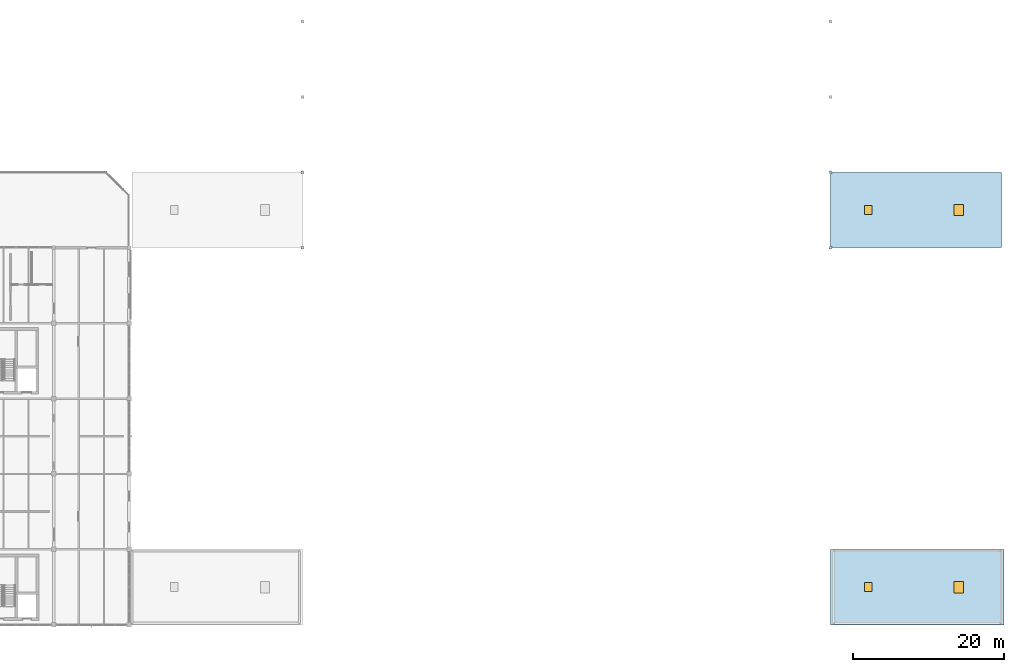
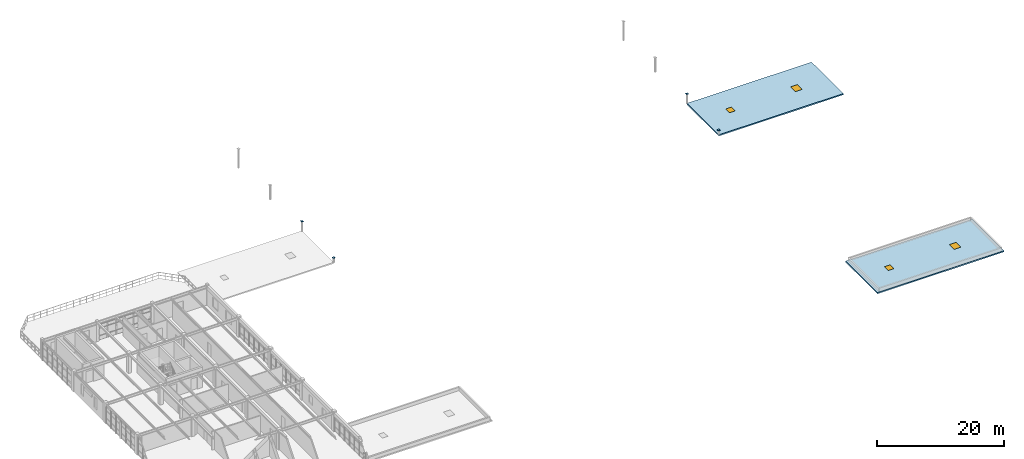
# One storey, part 17 of 23: 4 doors, 4 plates, 2 slabs, 4 openings.
"""IFC4 building model written with IfcOpenShell, lengths in metres."""

from ifc_helpers import new_model, si_unit, direction, frame, origin, origin_2d, place, context, subcontext, project, spatial, polyline, rectangle, outline, extrude, material, layer, layer_set, type_object, element, fill, save


model = new_model("IFC4")

# Units and contexts
model_context = context("Model", 3, precision=1e-05, world=origin(), true_north=direction((0.0, 1.0)))
body_context = subcontext(model_context, "Body", "Model", "MODEL_VIEW")
ifc_project = project(units=[si_unit("LENGTHUNIT", "METRE"), si_unit("AREAUNIT", "SQUARE_METRE"), si_unit("VOLUMEUNIT", "CUBIC_METRE"), si_unit("PLANEANGLEUNIT", "RADIAN"), si_unit("MASSUNIT", "GRAM", prefix="KILO"), si_unit("THERMODYNAMICTEMPERATUREUNIT", "KELVIN"), si_unit("POWERUNIT", "WATT")], contexts=[model_context])

# Site, building, storey
site_placement = place(None, origin())
site = spatial("IfcSite", under=ifc_project, at=site_placement, CompositionType="ELEMENT")
building_placement = place(site_placement, origin())
building = spatial("IfcBuilding", under=site, at=building_placement, Name="Korenveer Ferry Terminal", CompositionType="ELEMENT")
storey_placement = place(building_placement, frame((0.0, 0.0, 14.39990234375)))
storey = spatial("IfcBuildingStorey", under=building, at=storey_placement, Name="L03", CompositionType="ELEMENT", Elevation=14.39990234375)

# Plates
ifc_material_1 = material(Name="Steel S355", Category="steel")
ifc_layer_1 = layer(ifc_material_1, 0.0419921875)
ifc_layer_set_1 = layer_set([ifc_layer_1], Name="Steel S355")
plate_type = type_object("IfcPlateType", Name="STR-PLT-CAP42", PredefinedType="USERDEFINED", material=ifc_layer_set_1)
for number, where, z_axis, x_axis, name in (
    (1, (53.0, 70.0, 0.9384765625), (0.0, 0.0, 1.0), (1.0, 0.0, 0.0), "Hollow section end cap 207"),
    (2, (53.0, 80.0, 1.846435546875), (0.0, 0.0, 1.0), (1.0, 0.0, 0.0), "Hollow section end cap 208"),
    (3, (123.0, 70.0, 0.9384765625), (0.0, 0.0, 1.0), (1.0, 0.0, 0.0), "Hollow section end cap 236"),
    (4, (123.0, 80.0, 1.846435546875), (0.0, 0.0, 1.0), (1.0, 0.0, 0.0), "Hollow section end cap 237"),
):
    element("IfcPlate", number, at=place(storey_placement, frame(where, z_axis=z_axis, x_axis=x_axis)), inside=storey, type_object=plate_type, Name=name, ObjectType="END CAP PLATE", PredefinedType="USERDEFINED", context=body_context, shape_type="SweptSolid", body=[
        extrude(rectangle(XDim=0.385498046875, YDim=0.385498046875, at=origin_2d()), origin(), (0.0, 0.0, 1.0), 0.0419921875),
    ])

# Slab, openings, doors
ifc_material_2 = material(Name="Concrete C35/45", Category="concrete")
ifc_layer_2 = layer(ifc_material_2, 0.239990234375)
ifc_layer_set_2 = layer_set([ifc_layer_2], Name="Concrete C35/45")
slab_type = type_object("IfcSlabType", Name="STR-SL-ROOF240", PredefinedType="ROOF", material=ifc_layer_set_2)
slab_1_placement = place(storey_placement, frame((0.0, 0.0, -0.239990234375)))
slab_1 = element("IfcSlab", 5, at=slab_1_placement, inside=storey, type_object=slab_type, Name="Concourse link flat roof 2", PredefinedType="ROOF", context=body_context, shape_type="SweptSolid", body=[
    extrude(outline(polyline([(123.0, 20.0), (146.0, 20.0), (146.0, 30.0), (123.0, 30.0), (123.0, 20.0)])), origin(), (0.0, 0.0, 1.0), 0.239990234375),
])
opening_1_placement = place(slab_1_placement, frame((128.0, 25.0, -0.010009765625)))
opening_1 = element("IfcOpeningElement", 6, at=opening_1_placement, cuts=slab_1, Name="Opening RH-01", PredefinedType="OPENING", context=body_context, shape_type="SweptSolid", body=[
    extrude(rectangle(XDim=1.0, YDim=1.199951171875, at=origin_2d()), origin(), (0.0, 0.0, 1.0), 0.260009765625),
])
opening_2_placement = place(slab_1_placement, frame((140.0, 25.0, -0.010009765625)))
opening_2 = element("IfcOpeningElement", 7, at=opening_2_placement, cuts=slab_1, Name="Opening RH-02", PredefinedType="OPENING", context=body_context, shape_type="SweptSolid", body=[
    extrude(rectangle(XDim=1.199951171875, YDim=1.5, at=origin_2d()), origin(), (0.0, 0.0, 1.0), 0.260009765625),
])
ifc_material_3 = material(Name="Thermally broken bronze glazed door", Category="aluminium")
door_type_1 = type_object("IfcDoorType", Name="ENV-DR-HTCH100", OperationType="SINGLE_SWING_LEFT", PredefinedType="TRAPDOOR", material=ifc_material_3)
door_1_placement = place(slab_1_placement, frame((128.0, 25.0, 0.18994140625)))
door_1 = element("IfcDoor", 8, at=door_1_placement, inside=storey, type_object=door_type_1, Name="Roof maintenance access hatch 3", OperationType="SINGLE_SWING_LEFT", OverallHeight=1.199951171875, OverallWidth=1.0, PredefinedType="TRAPDOOR", context=body_context, shape_type="SweptSolid", body=[
    extrude(rectangle(XDim=1.0, YDim=1.199951171875, at=origin_2d()), origin(), (0.0, 0.0, 1.0), 0.050048828125),
])
fill(opening_1, door_1)
door_type_2 = type_object("IfcDoorType", Name="ENV-DR-HTCH120", OperationType="SINGLE_SWING_LEFT", PredefinedType="TRAPDOOR", material=ifc_material_3)
door_2_placement = place(slab_1_placement, frame((140.0, 25.0, 0.18994140625)))
door_2 = element("IfcDoor", 9, at=door_2_placement, inside=storey, type_object=door_type_2, Name="Roof maintenance access hatch 4", OperationType="SINGLE_SWING_LEFT", OverallHeight=1.5, OverallWidth=1.199951171875, PredefinedType="TRAPDOOR", context=body_context, shape_type="SweptSolid", body=[
    extrude(rectangle(XDim=1.199951171875, YDim=1.5, at=origin_2d()), origin(), (0.0, 0.0, 1.0), 0.050048828125),
])
fill(opening_2, door_2)

slab_2_placement = place(storey_placement, frame((0.0, 0.0, -0.239990234375)))
slab_2 = element("IfcSlab", 10, at=slab_2_placement, inside=storey, type_object=slab_type, Name="Concourse link flat roof 4", PredefinedType="ROOF", context=body_context, shape_type="SweptSolid", body=[
    extrude(outline(polyline([(123.0, 70.0), (145.64990234375, 70.0), (145.64990234375, 80.0), (123.0, 80.0), (123.0, 70.0)])), origin(), (0.0, 0.0, 1.0), 0.239990234375),
])
opening_3_placement = place(slab_2_placement, frame((128.0, 75.0, -0.010009765625)))
opening_3 = element("IfcOpeningElement", 11, at=opening_3_placement, cuts=slab_2, Name="Opening RH-01", PredefinedType="OPENING", context=body_context, shape_type="SweptSolid", body=[
    extrude(rectangle(XDim=1.0, YDim=1.199951171875, at=origin_2d()), origin(), (0.0, 0.0, 1.0), 0.260009765625),
])
opening_4_placement = place(slab_2_placement, frame((140.0, 75.0, -0.010009765625)))
opening_4 = element("IfcOpeningElement", 12, at=opening_4_placement, cuts=slab_2, Name="Opening RH-02", PredefinedType="OPENING", context=body_context, shape_type="SweptSolid", body=[
    extrude(rectangle(XDim=1.199951171875, YDim=1.5, at=origin_2d()), origin(), (0.0, 0.0, 1.0), 0.260009765625),
])
door_3_placement = place(slab_2_placement, frame((128.0, 75.0, 0.18994140625)))
door_3 = element("IfcDoor", 13, at=door_3_placement, inside=storey, type_object=door_type_1, Name="Roof maintenance access hatch 7", OperationType="SINGLE_SWING_LEFT", OverallHeight=1.199951171875, OverallWidth=1.0, PredefinedType="TRAPDOOR", context=body_context, shape_type="SweptSolid", body=[
    extrude(rectangle(XDim=1.0, YDim=1.199951171875, at=origin_2d()), origin(), (0.0, 0.0, 1.0), 0.050048828125),
])
fill(opening_3, door_3)
door_4_placement = place(slab_2_placement, frame((140.0, 75.0, 0.18994140625)))
door_4 = element("IfcDoor", 14, at=door_4_placement, inside=storey, type_object=door_type_2, Name="Roof maintenance access hatch 8", OperationType="SINGLE_SWING_LEFT", OverallHeight=1.5, OverallWidth=1.199951171875, PredefinedType="TRAPDOOR", context=body_context, shape_type="SweptSolid", body=[
    extrude(rectangle(XDim=1.199951171875, YDim=1.5, at=origin_2d()), origin(), (0.0, 0.0, 1.0), 0.050048828125),
])
fill(opening_4, door_4)

save(model, "model.ifc")
